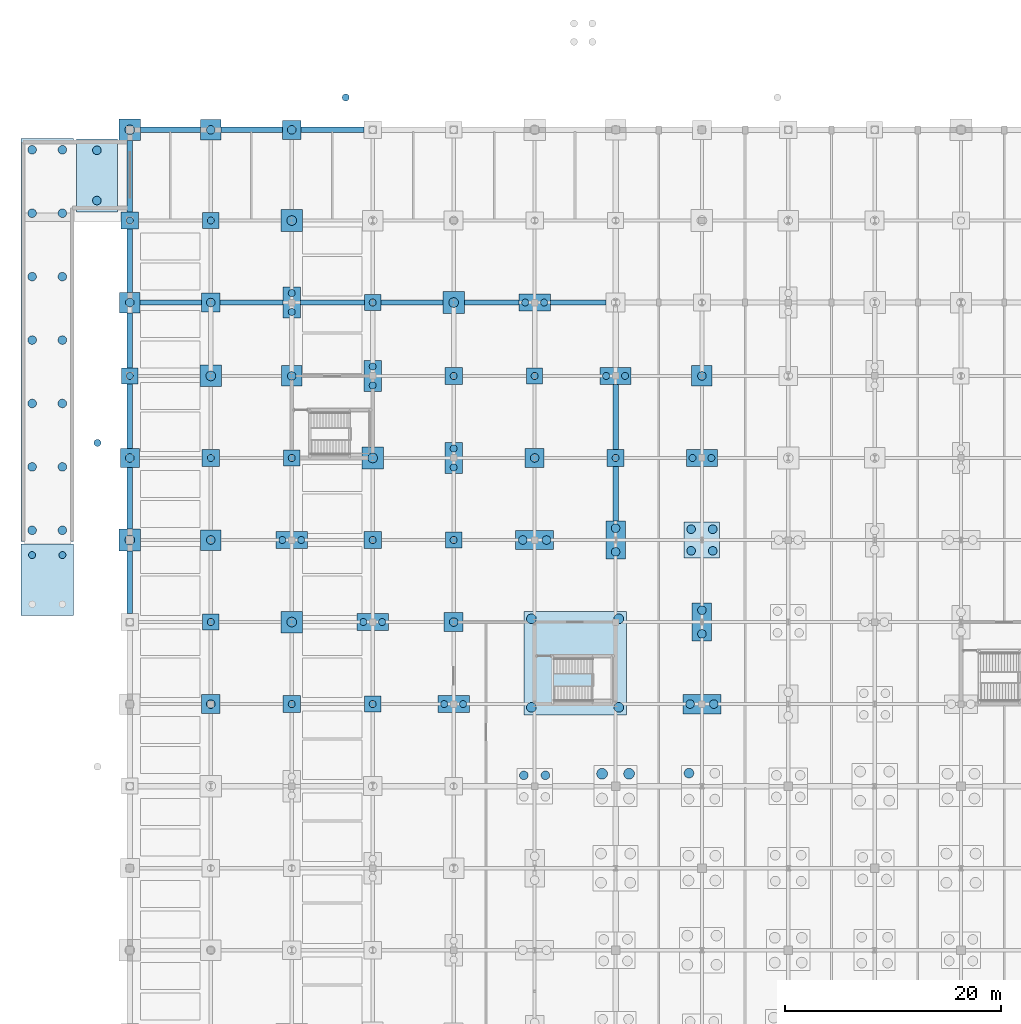
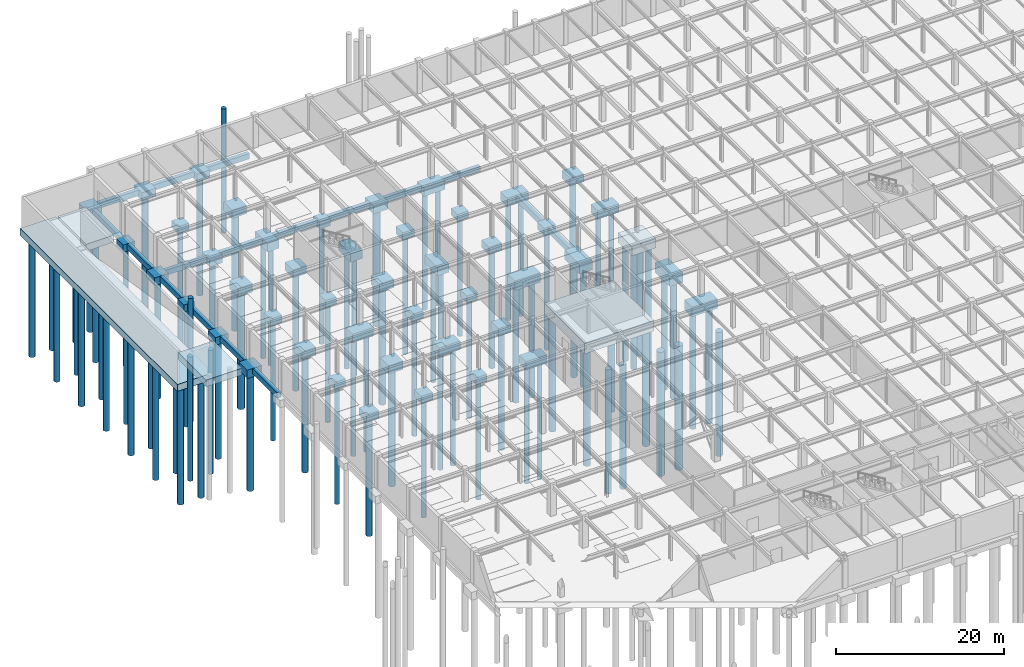
# One storey, part 4 of 53: 91 piles, 67 footings.
"""IFC4 building model written with IfcOpenShell, lengths in metres."""

import ifcopenshell
import ifcopenshell.guid

model = None  # the IFC model being written
_history = None  # IfcOwnerHistory: only IFC2X3 demands one
_inside = {}  # id of a spatial element -> (the spatial element, [elements in it])
_under = {}  # id of a project, library or spatial element -> (it, [spatial elements below it])
_declared = {}  # id of a project -> (the project, [libraries it declares])
_typed = {}  # id of a type object -> (the type object, [elements of that type])
_made_of = {}  # id of a material, layer set ... -> (it, [elements and type objects made of it])


def new_model(schema):
    """Start an empty IFC model of exactly this schema.

    Asked for "IFC4X3", IfcOpenShell would pick the latest addendum, in which some entities
    have other attributes; the version numbers below select the first issue.
    IFC2X3 requires an IfcOwnerHistory on every rooted entity: one is made here for all.
    """
    global model, _history
    if schema == "IFC4X3":
        model = ifcopenshell.file(schema_version=(4, 3, 0, 0))
    else:
        model = ifcopenshell.file(schema=schema)
    _inside.clear()
    _under.clear()
    _declared.clear()
    _typed.clear()
    _made_of.clear()
    _history = None
    if model.schema == "IFC2X3":
        org = make("IfcOrganization", Name="unknown")
        user = make(
            "IfcPersonAndOrganization",
            ThePerson=make("IfcPerson", FamilyName="unknown"),
            TheOrganization=org,
        )
        app = make(
            "IfcApplication",
            ApplicationDeveloper=org,
            Version="unknown",
            ApplicationFullName="unknown",
            ApplicationIdentifier="unknown",
        )
        _history = make(
            "IfcOwnerHistory",
            OwningUser=user,
            OwningApplication=app,
            ChangeAction="ADDED",
            CreationDate=0,
        )
    return model


def make(cls, **values):
    """One entity of the class cls with the attributes given. An attribute that is None is left unset."""
    return model.create_entity(
        cls, **{name: value for name, value in values.items() if value is not None}
    )


def rooted(cls, **values):
    """An entity with a GlobalId (a new one), such as an element, a storey or a relation."""
    return make(cls, GlobalId=ifcopenshell.guid.new(), OwnerHistory=_history, **values)


def si_unit(unit_type, name, prefix=None):
    """IfcSIUnit, for example si_unit("LENGTHUNIT", "METRE", prefix="MILLI")."""
    return make("IfcSIUnit", UnitType=unit_type, Prefix=prefix, Name=name)


def assignment(units):
    """IfcUnitAssignment: the units of a project."""
    return None if units is None else make("IfcUnitAssignment", Units=units)


def point(xyz):
    """IfcCartesianPoint."""
    return None if xyz is None else make("IfcCartesianPoint", Coordinates=xyz)


def direction(xyz):
    """IfcDirection."""
    return None if xyz is None else make("IfcDirection", DirectionRatios=xyz)


def frame(location, z_axis=None, x_axis=None):
    """IfcAxis2Placement3D, a coordinate frame: its origin and axes. An axis left out is left unset."""
    return make(
        "IfcAxis2Placement3D",
        Location=point(location),
        Axis=direction(z_axis),
        RefDirection=direction(x_axis),
    )


def frame_2d(location, x_axis=None):
    """IfcAxis2Placement2D, a coordinate frame in the plane: its origin and x axis."""
    return make(
        "IfcAxis2Placement2D", Location=point(location), RefDirection=direction(x_axis)
    )


def origin():
    """The frame at (0, 0, 0) with its axes left unset."""
    return frame((0.0, 0.0, 0.0))


def origin_2d():
    """The frame at (0, 0) in the plane with its x axis left unset."""
    return frame_2d((0.0, 0.0))


def place(relative_to, where):
    """IfcLocalPlacement: puts the frame where relative to a parent placement (None: the world)."""
    return make(
        "IfcLocalPlacement", PlacementRelTo=relative_to, RelativePlacement=where
    )


def context(
    kind, dimensions, precision=None, world=None, true_north=None, identifier=None
):
    """IfcGeometricRepresentationContext, for example the 3D "Model" context."""
    return make(
        "IfcGeometricRepresentationContext",
        ContextIdentifier=identifier,
        ContextType=kind,
        CoordinateSpaceDimension=dimensions,
        Precision=precision,
        WorldCoordinateSystem=world,
        TrueNorth=true_north,
    )


def subcontext(parent, identifier, kind, view, scale=None):
    """IfcGeometricRepresentationSubContext, for example "Body" below "Model"."""
    return make(
        "IfcGeometricRepresentationSubContext",
        ContextIdentifier=identifier,
        ContextType=kind,
        ParentContext=parent,
        TargetScale=scale,
        TargetView=view,
    )


def project(units=None, contexts=None):
    """IfcProject with its units and contexts."""
    return rooted(
        "IfcProject",
        Name="project",
        RepresentationContexts=contexts,
        UnitsInContext=assignment(units),
    )


def spatial(cls, under=None, at=None, **own):
    """A site, building, storey or space (cls), placed at a placement, below another one or the project."""
    s = rooted(cls, ObjectPlacement=at, **own)
    if under is not None:
        _under.setdefault(under.id(), (under, []))[1].append(s)
    return s


def profile(cls, at=None, kind="AREA", **sizes):
    """A parametric profile (cls). Its sizes go by their IFC names, for example OverallWidth=200.0."""
    return make(cls, ProfileType=kind, Position=at, **sizes)


def rectangle(**sizes):
    """IfcRectangleProfileDef."""
    return profile("IfcRectangleProfileDef", **sizes)


def circle(**sizes):
    """IfcCircleProfileDef."""
    return profile("IfcCircleProfileDef", **sizes)


def extrude(swept, where, along, depth):
    """IfcExtrudedAreaSolid: the profile swept, set in the frame where, extruded along a direction by depth."""
    return make(
        "IfcExtrudedAreaSolid",
        SweptArea=swept,
        Position=where,
        ExtrudedDirection=direction(along),
        Depth=depth,
    )


def shape(context_of_items, identifier, shape_type, items):
    """IfcShapeRepresentation: the items that make up one representation, for example the "Body"."""
    return make(
        "IfcShapeRepresentation",
        ContextOfItems=context_of_items,
        RepresentationIdentifier=identifier,
        RepresentationType=shape_type,
        Items=items,
    )


def material(Name=None, Category=None):
    """IfcMaterial."""
    return make("IfcMaterial", Name=Name, Category=Category)


def material_profile(
    of_material, cross_section, Name=None, Category=None, Priority=None
):
    """IfcMaterialProfile: a cross section and its material."""
    return make(
        "IfcMaterialProfile",
        Name=Name,
        Material=of_material,
        Profile=cross_section,
        Priority=Priority,
        Category=Category,
    )


def profile_set(profiles, Name=None, composite=None):
    """IfcMaterialProfileSet."""
    return make(
        "IfcMaterialProfileSet",
        Name=Name,
        MaterialProfiles=profiles,
        CompositeProfile=composite,
    )


def made_of(thing, what):
    """Note that an element or type object is made of a material, layer set ...; save() writes the relation."""
    if what is not None:
        _made_of.setdefault(what.id(), (what, []))[1].append(thing)
    return thing


def type_object(cls, material=None, **own):
    """A type object (cls), such as IfcWallType, which elements share."""
    return made_of(rooted(cls, **own), material)


def element(
    cls,
    number,
    at=None,
    inside=None,
    cuts=None,
    type_object=None,
    material=None,
    context=None,
    identifier="Body",
    shape_type=None,
    held_by="IfcProductDefinitionShape",
    body=None,
    shapes=None,
    **own,
):
    """One element of the class cls, such as IfcWall. Its Tag is "e" and its number.

    at: its placement. inside: the storey or other place that contains it. cuts: it is an
    opening in that element (IfcRelVoidsElement). A single representation is given by context,
    identifier, shape_type and body (its items); several are given by shapes. held_by: the class
    of the entity that holds the representations. save() writes the other relations.
    """
    e = rooted(cls, Tag="e%d" % number, ObjectPlacement=at, **own)
    if body is not None:
        shapes = [shape(context, identifier, shape_type, body)]
    if shapes is not None:
        e.Representation = make(held_by, Representations=shapes)
    if inside is not None:
        _inside.setdefault(inside.id(), (inside, []))[1].append(e)
    if cuts is not None:
        rooted(
            "IfcRelVoidsElement", RelatingBuildingElement=cuts, RelatedOpeningElement=e
        )
    if type_object is not None:
        _typed.setdefault(type_object.id(), (type_object, []))[1].append(e)
    return made_of(e, material)


def aggregate(whole, parts):
    """IfcRelAggregates: a whole, such as a stair, and the parts it consists of."""
    return rooted("IfcRelAggregates", RelatingObject=whole, RelatedObjects=parts)


def save(model, path):
    """Write the relations noted so far, then the file.

    IfcRelAggregates (storeys below a building ...), IfcRelContainedInSpatialStructure (elements
    in a storey), IfcRelDefinesByType, IfcRelAssociatesMaterial and IfcRelDeclares: one each for
    every whole, place, type object, material and project.
    """
    for whole, parts in _under.values():
        aggregate(whole, parts)
    for where, things in _inside.values():
        rooted(
            "IfcRelContainedInSpatialStructure",
            RelatedElements=things,
            RelatingStructure=where,
        )
    for kind, things in _typed.values():
        rooted("IfcRelDefinesByType", RelatedObjects=things, RelatingType=kind)
    for what, things in _made_of.values():
        rooted("IfcRelAssociatesMaterial", RelatedObjects=things, RelatingMaterial=what)
    for by, libraries in _declared.values():
        rooted("IfcRelDeclares", RelatingContext=by, RelatedDefinitions=libraries)
    model.write(path)


model = new_model("IFC4")

# Units and contexts
model_context = context("Model", 3, precision=1e-05, world=origin(), true_north=direction((0.0, 1.0)))
body_context = subcontext(model_context, "Body", "Model", "MODEL_VIEW")
ifc_project = project(units=[si_unit("LENGTHUNIT", "METRE"), si_unit("AREAUNIT", "SQUARE_METRE"), si_unit("VOLUMEUNIT", "CUBIC_METRE"), si_unit("PLANEANGLEUNIT", "RADIAN"), si_unit("MASSUNIT", "GRAM", prefix="KILO")], contexts=[model_context])

# Site, building, storey
site_placement = place(None, origin())
site = spatial("IfcSite", under=ifc_project, at=site_placement, CompositionType="ELEMENT")
building_placement = place(site_placement, origin())
building = spatial("IfcBuilding", under=site, at=building_placement, Name="Shalkamar Park Central Library", CompositionType="ELEMENT")
storey_placement = place(building_placement, frame((0.0, 0.0, -4.800048828125)))
storey = spatial("IfcBuildingStorey", under=building, at=storey_placement, Name="B1", CompositionType="ELEMENT", Elevation=-4.800048828125)

# Piles
ifc_material = material(Name="Concrete C35/45", Category="concrete")
ifc_material_profile_1 = material_profile(ifc_material, circle(Radius=0.5, at=origin_2d()), Name="PILE D1000")
ifc_profile_set_1 = profile_set([ifc_material_profile_1], Name="Concrete C35/45")
pile_type_1 = type_object("IfcPileType", Name="Bored Concrete Pile D1000", PredefinedType="BORED", material=ifc_profile_set_1)
for number, where, z_axis, x_axis, name in (
    (1, (163.75, 294.35009765625, -0.800048828125), (0.0, 0.0, -1.0), (1.0, 0.0, 0.0), "Bored Pile FC-07-H-P02"),
    (2, (166.25, 294.35009765625, -0.800048828125), (0.0, 0.0, -1.0), (1.0, 0.0, 0.0), "Bored Pile FC-07-H-P04"),
):
    element("IfcPile", number, at=place(storey_placement, frame(where, z_axis=z_axis, x_axis=x_axis)), inside=storey, type_object=pile_type_1, Name=name, PredefinedType="BORED", context=body_context, shape_type="SweptSolid", body=[
        extrude(circle(Radius=0.5, at=origin_2d()), origin(), (0.0, 0.0, 1.0), 18.0),
    ])
ifc_material_profile_2 = material_profile(ifc_material, circle(Radius=0.324951171875, at=origin_2d()), Name="PILE D650")
ifc_profile_set_2 = profile_set([ifc_material_profile_2], Name="Concrete C35/45")
pile_type_2 = type_object("IfcPileType", Name="Bored Concrete Pile D650", PredefinedType="BORED", material=ifc_profile_set_2)
for number, where, z_axis, x_axis, name in (
    (3, (120.0, 331.199951171875, -0.800048828125), (0.0, 0.0, -1.0), (1.0, 0.0, 0.0), "Bored Pile FC-01-N-P01"),
    (4, (120.0, 345.60009765625, -0.800048828125), (0.0, 0.0, -1.0), (1.0, 0.0, 0.0), "Bored Pile FC-01-Q-P01"),
    (5, (127.5, 308.39990234375, -0.800048828125), (0.0, 0.0, -1.0), (1.0, 0.0, 0.0), "Bored Pile FC-02-K-P01"),
    (6, (127.5, 323.60009765625, -0.800048828125), (0.0, 0.0, -1.0), (1.0, 0.0, 0.0), "Bored Pile FC-02-M-P01"),
    (7, (127.5, 345.60009765625, -0.800048828125), (0.0, 0.0, -1.0), (1.0, 0.0, 0.0), "Bored Pile FC-02-Q-P01"),
    (8, (135.0, 300.800048828125, -0.800048828125), (0.0, 0.0, -1.0), (1.0, 0.0, 0.0), "Bored Pile FC-03-J-P01"),
    (9, (134.125, 316.0, -0.800048828125), (0.0, 0.0, -1.0), (1.0, 0.0, 0.0), "Bored Pile FC-03-L-P01"),
    (10, (135.875, 316.0, -0.800048828125), (0.0, 0.0, -1.0), (1.0, 0.0, 0.0), "Bored Pile FC-03-L-P02"),
    (11, (135.0, 323.60009765625, -0.800048828125), (0.0, 0.0, -1.0), (1.0, 0.0, 0.0), "Bored Pile FC-03-M-P01"),
    (12, (135.0, 337.125, -0.800048828125), (0.0, 0.0, -1.0), (1.0, 0.0, 0.0), "Bored Pile FC-03-P-P01"),
    (13, (135.0, 338.875, -0.800048828125), (0.0, 0.0, -1.0), (1.0, 0.0, 0.0), "Bored Pile FC-03-P-P02"),
    (14, (142.5, 300.800048828125, -0.800048828125), (0.0, 0.0, -1.0), (1.0, 0.0, 0.0), "Bored Pile FC-04-J-P01"),
    (15, (141.625, 308.39990234375, -0.800048828125), (0.0, 0.0, -1.0), (1.0, 0.0, 0.0), "Bored Pile FC-04-K-P01"),
    (16, (143.375, 308.39990234375, -0.800048828125), (0.0, 0.0, -1.0), (1.0, 0.0, 0.0), "Bored Pile FC-04-K-P02"),
    (17, (142.5, 316.0, -0.800048828125), (0.0, 0.0, -1.0), (1.0, 0.0, 0.0), "Bored Pile FC-04-L-P01"),
    (18, (142.5, 330.324951171875, -0.800048828125), (0.0, 0.0, -1.0), (1.0, 0.0, 0.0), "Bored Pile FC-04-N-P01"),
    (19, (142.5, 332.074951171875, -0.800048828125), (0.0, 0.0, -1.0), (1.0, 0.0, 0.0), "Bored Pile FC-04-N-P02"),
    (20, (142.5, 338.0, -0.800048828125), (0.0, 0.0, -1.0), (1.0, 0.0, 0.0), "Bored Pile FC-04-P-P01"),
    (21, (149.125, 300.800048828125, -0.800048828125), (0.0, 0.0, -1.0), (1.0, 0.0, 0.0), "Bored Pile FC-05-J-P01"),
    (22, (150.875, 300.800048828125, -0.800048828125), (0.0, 0.0, -1.0), (1.0, 0.0, 0.0), "Bored Pile FC-05-J-P02"),
    (23, (150.0, 316.0, -0.800048828125), (0.0, 0.0, -1.0), (1.0, 0.0, 0.0), "Bored Pile FC-05-L-P01"),
    (24, (150.0, 322.72509765625, -0.800048828125), (0.0, 0.0, -1.0), (1.0, 0.0, 0.0), "Bored Pile FC-05-M-P01"),
    (25, (150.0, 324.47509765625, -0.800048828125), (0.0, 0.0, -1.0), (1.0, 0.0, 0.0), "Bored Pile FC-05-M-P02"),
    (26, (150.0, 331.199951171875, -0.800048828125), (0.0, 0.0, -1.0), (1.0, 0.0, 0.0), "Bored Pile FC-05-N-P01"),
    (27, (157.5, 331.199951171875, -0.800048828125), (0.0, 0.0, -1.0), (1.0, 0.0, 0.0), "Bored Pile FC-06-N-P01"),
    (28, (156.625, 338.0, -0.800048828125), (0.0, 0.0, -1.0), (1.0, 0.0, 0.0), "Bored Pile FC-06-P-P01"),
    (29, (158.375, 338.0, -0.800048828125), (0.0, 0.0, -1.0), (1.0, 0.0, 0.0), "Bored Pile FC-06-P-P02"),
    (30, (165.0, 323.60009765625, -0.800048828125), (0.0, 0.0, -1.0), (1.0, 0.0, 0.0), "Bored Pile FC-07-M-P01"),
    (31, (164.125, 331.199951171875, -0.800048828125), (0.0, 0.0, -1.0), (1.0, 0.0, 0.0), "Bored Pile FC-07-N-P01"),
    (32, (165.875, 331.199951171875, -0.800048828125), (0.0, 0.0, -1.0), (1.0, 0.0, 0.0), "Bored Pile FC-07-N-P02"),
    (33, (172.125, 323.60009765625, -0.800048828125), (0.0, 0.0, -1.0), (1.0, 0.0, 0.0), "Bored Pile FC-08-M-P01"),
    (34, (173.875, 323.60009765625, -0.800048828125), (0.0, 0.0, -1.0), (1.0, 0.0, 0.0), "Bored Pile FC-08-M-P02"),
    (35, (140.0, 357.0, 4.650146484375), (0.0, 0.0, -1.0), (1.0, 0.0, 0.0), "Entrance Apron Pile 04"),
    (36, (117.0, 325.0, 4.650146484375), (0.0, 0.0, -1.0), (1.0, 0.0, 0.0), "Entrance Apron Pile 14"),
    (37, (110.949951171875, 314.60009765625, 4.60009765625), (0.0, 0.0, -1.0), (1.0, 0.0, 0.0), "Bored Pile FC-VRM-TOP-P02"),
    (38, (113.75, 314.60009765625, 4.60009765625), (0.0, 0.0, -1.0), (1.0, 0.0, 0.0), "Bored Pile FC-VRM-TOP-P04"),
):
    element("IfcPile", number, at=place(storey_placement, frame(where, z_axis=z_axis, x_axis=x_axis)), inside=storey, type_object=pile_type_2, Name=name, PredefinedType="BORED", context=body_context, shape_type="SweptSolid", body=[
        extrude(circle(Radius=0.324951171875, at=origin_2d()), origin(), (0.0, 0.0, 1.0), 18.0),
    ])
ifc_material_profile_3 = material_profile(ifc_material, circle(Radius=0.39990234375, at=origin_2d()), Name="PILE D800")
ifc_profile_set_3 = profile_set([ifc_material_profile_3], Name="Concrete C35/45")
pile_type_3 = type_object("IfcPileType", Name="Bored Concrete Pile D800", PredefinedType="BORED", material=ifc_profile_set_3)
for number, where, z_axis, x_axis, name in (
    (39, (120.0, 323.60009765625, -0.800048828125), (0.0, 0.0, -1.0), (1.0, 0.0, 0.0), "Bored Pile FC-01-M-P01"),
    (40, (120.0, 338.0, -0.800048828125), (0.0, 0.0, -1.0), (1.0, 0.0, 0.0), "Bored Pile FC-01-P-P01"),
    (41, (127.5, 300.800048828125, -0.800048828125), (0.0, 0.0, -1.0), (1.0, 0.0, 0.0), "Bored Pile FC-02-J-P01"),
    (42, (127.5, 316.0, -0.800048828125), (0.0, 0.0, -1.0), (1.0, 0.0, 0.0), "Bored Pile FC-02-L-P01"),
    (43, (127.5, 338.0, -0.800048828125), (0.0, 0.0, -1.0), (1.0, 0.0, 0.0), "Bored Pile FC-02-P-P01"),
    (44, (127.5, 354.0, -0.800048828125), (0.0, 0.0, -1.0), (1.0, 0.0, 0.0), "Bored Pile FC-02-R-P01"),
    (45, (135.0, 331.199951171875, -0.800048828125), (0.0, 0.0, -1.0), (1.0, 0.0, 0.0), "Bored Pile FC-03-N-P01"),
    (46, (135.0, 354.0, -0.800048828125), (0.0, 0.0, -1.0), (1.0, 0.0, 0.0), "Bored Pile FC-03-R-P01"),
    (47, (150.0, 308.39990234375, -0.800048828125), (0.0, 0.0, -1.0), (1.0, 0.0, 0.0), "Bored Pile FC-05-K-P01"),
    (48, (156.5, 294.199951171875, -0.800048828125), (0.0, 0.0, -1.0), (1.0, 0.0, 0.0), "Bored Pile FC-06-H-P02"),
    (49, (158.5, 294.199951171875, -0.800048828125), (0.0, 0.0, -1.0), (1.0, 0.0, 0.0), "Bored Pile FC-06-H-P04"),
    (50, (156.39990234375, 316.0, -0.800048828125), (0.0, 0.0, -1.0), (1.0, 0.0, 0.0), "Bored Pile FC-06-L-P01"),
    (51, (158.60009765625, 316.0, -0.800048828125), (0.0, 0.0, -1.0), (1.0, 0.0, 0.0), "Bored Pile FC-06-L-P02"),
    (52, (157.5, 323.60009765625, -0.800048828125), (0.0, 0.0, -1.0), (1.0, 0.0, 0.0), "Bored Pile FC-06-M-P01"),
    (53, (165.0, 314.89990234375, -0.800048828125), (0.0, 0.0, -1.0), (1.0, 0.0, 0.0), "Bored Pile FC-07-L-P01"),
    (54, (165.0, 317.10009765625, -0.800048828125), (0.0, 0.0, -1.0), (1.0, 0.0, 0.0), "Bored Pile FC-07-L-P02"),
    (55, (171.89990234375, 300.800048828125, -0.800048828125), (0.0, 0.0, -1.0), (1.0, 0.0, 0.0), "Bored Pile FC-08-J-P01"),
    (56, (174.10009765625, 300.800048828125, -0.800048828125), (0.0, 0.0, -1.0), (1.0, 0.0, 0.0), "Bored Pile FC-08-J-P02"),
    (57, (173.0, 307.300048828125, -0.800048828125), (0.0, 0.0, -1.0), (1.0, 0.0, 0.0), "Bored Pile FC-08-K-P01"),
    (58, (173.0, 309.5, -0.800048828125), (0.0, 0.0, -1.0), (1.0, 0.0, 0.0), "Bored Pile FC-08-K-P02"),
    (59, (172.0, 315.0, -0.800048828125), (0.0, 0.0, -1.0), (1.0, 0.0, 0.0), "Bored Pile FC-08-L-P01"),
    (60, (172.0, 317.0, -0.800048828125), (0.0, 0.0, -1.0), (1.0, 0.0, 0.0), "Bored Pile FC-08-L-P02"),
    (61, (174.0, 315.0, -0.800048828125), (0.0, 0.0, -1.0), (1.0, 0.0, 0.0), "Bored Pile FC-08-L-P03"),
    (62, (174.0, 317.0, -0.800048828125), (0.0, 0.0, -1.0), (1.0, 0.0, 0.0), "Bored Pile FC-08-L-P04"),
    (63, (173.0, 331.199951171875, -0.800048828125), (0.0, 0.0, -1.0), (1.0, 0.0, 0.0), "Bored Pile FC-08-N-P01"),
    (64, (110.949951171875, 316.89990234375, -0.199951171875), (0.0, 0.0, -1.0), (1.0, 0.0, 0.0), "Bored Pile FC-VRM-RAMP-P01"),
    (65, (110.949951171875, 322.77490234375, -0.199951171875), (0.0, 0.0, -1.0), (1.0, 0.0, 0.0), "Bored Pile FC-VRM-RAMP-P02"),
    (66, (110.949951171875, 328.64990234375, -0.199951171875), (0.0, 0.0, -1.0), (1.0, 0.0, 0.0), "Bored Pile FC-VRM-RAMP-P03"),
    (67, (110.949951171875, 334.52490234375, -0.199951171875), (0.0, 0.0, -1.0), (1.0, 0.0, 0.0), "Bored Pile FC-VRM-RAMP-P04"),
    (68, (110.949951171875, 340.39990234375, -0.199951171875), (0.0, 0.0, -1.0), (1.0, 0.0, 0.0), "Bored Pile FC-VRM-RAMP-P05"),
    (69, (110.949951171875, 346.27490234375, -0.199951171875), (0.0, 0.0, -1.0), (1.0, 0.0, 0.0), "Bored Pile FC-VRM-RAMP-P06"),
    (70, (110.949951171875, 352.14990234375, -0.199951171875), (0.0, 0.0, -1.0), (1.0, 0.0, 0.0), "Bored Pile FC-VRM-RAMP-P07"),
    (71, (113.75, 316.89990234375, -0.199951171875), (0.0, 0.0, -1.0), (1.0, 0.0, 0.0), "Bored Pile FC-VRM-RAMP-P08"),
    (72, (113.75, 322.77490234375, -0.199951171875), (0.0, 0.0, -1.0), (1.0, 0.0, 0.0), "Bored Pile FC-VRM-RAMP-P09"),
    (73, (113.75, 328.64990234375, -0.199951171875), (0.0, 0.0, -1.0), (1.0, 0.0, 0.0), "Bored Pile FC-VRM-RAMP-P10"),
    (74, (113.75, 334.52490234375, -0.199951171875), (0.0, 0.0, -1.0), (1.0, 0.0, 0.0), "Bored Pile FC-VRM-RAMP-P11"),
    (75, (113.75, 340.39990234375, -0.199951171875), (0.0, 0.0, -1.0), (1.0, 0.0, 0.0), "Bored Pile FC-VRM-RAMP-P12"),
    (76, (113.75, 346.27490234375, -0.199951171875), (0.0, 0.0, -1.0), (1.0, 0.0, 0.0), "Bored Pile FC-VRM-RAMP-P13"),
    (77, (113.75, 352.14990234375, -0.199951171875), (0.0, 0.0, -1.0), (1.0, 0.0, 0.0), "Bored Pile FC-VRM-RAMP-P14"),
    (78, (116.949951171875, 347.449951171875, -0.199951171875), (0.0, 0.0, -1.0), (1.0, 0.0, 0.0), "Bored Pile FC-VRM-TURN-P01"),
    (79, (116.949951171875, 352.10009765625, -0.199951171875), (0.0, 0.0, -1.0), (1.0, 0.0, 0.0), "Bored Pile FC-VRM-TURN-P02"),
):
    element("IfcPile", number, at=place(storey_placement, frame(where, z_axis=z_axis, x_axis=x_axis)), inside=storey, type_object=pile_type_3, Name=name, PredefinedType="BORED", context=body_context, shape_type="SweptSolid", body=[
        extrude(circle(Radius=0.39990234375, at=origin_2d()), origin(), (0.0, 0.0, 1.0), 18.0),
    ])
ifc_material_profile_4 = material_profile(ifc_material, circle(Radius=0.449951171875, at=origin_2d()), Name="PILE D900")
ifc_profile_set_4 = profile_set([ifc_material_profile_4], Name="Concrete C35/45")
pile_type_4 = type_object("IfcPileType", Name="Bored Concrete Pile D900", PredefinedType="BORED", material=ifc_profile_set_4)
for number, where, z_axis, x_axis, name in (
    (80, (157.199951171875, 300.5, -0.800048828125), (0.0, 0.0, -1.0), (1.0, 0.0, 0.0), "Bored Pile FC-CORE-P2-P01"),
    (81, (157.199951171875, 308.699951171875, -0.800048828125), (0.0, 0.0, -1.0), (1.0, 0.0, 0.0), "Bored Pile FC-CORE-P2-P02"),
    (82, (165.300048828125, 300.5, -0.800048828125), (0.0, 0.0, -1.0), (1.0, 0.0, 0.0), "Bored Pile FC-CORE-P2-P03"),
    (83, (165.300048828125, 308.699951171875, -0.800048828125), (0.0, 0.0, -1.0), (1.0, 0.0, 0.0), "Bored Pile FC-CORE-P2-P04"),
    (84, (120.0, 316.0, -0.800048828125), (0.0, 0.0, -1.0), (1.0, 0.0, 0.0), "Bored Pile FC-01-L-P01"),
    (85, (120.0, 354.0, -0.800048828125), (0.0, 0.0, -1.0), (1.0, 0.0, 0.0), "Bored Pile FC-01-R-P01"),
    (86, (127.5, 331.199951171875, -0.800048828125), (0.0, 0.0, -1.0), (1.0, 0.0, 0.0), "Bored Pile FC-02-N-P01"),
    (87, (135.0, 308.39990234375, -0.800048828125), (0.0, 0.0, -1.0), (1.0, 0.0, 0.0), "Bored Pile FC-03-K-P01"),
    (88, (135.0, 345.60009765625, -0.800048828125), (0.0, 0.0, -1.0), (1.0, 0.0, 0.0), "Bored Pile FC-03-Q-P01"),
    (89, (142.5, 323.60009765625, -0.800048828125), (0.0, 0.0, -1.0), (1.0, 0.0, 0.0), "Bored Pile FC-04-M-P01"),
    (90, (150.0, 338.0, -0.800048828125), (0.0, 0.0, -1.0), (1.0, 0.0, 0.0), "Bored Pile FC-05-P-P01"),
    (91, (171.800048828125, 294.39990234375, -0.800048828125), (0.0, 0.0, -1.0), (1.0, 0.0, 0.0), "Bored Pile FC-08-H-P02"),
):
    element("IfcPile", number, at=place(storey_placement, frame(where, z_axis=z_axis, x_axis=x_axis)), inside=storey, type_object=pile_type_4, Name=name, PredefinedType="BORED", context=body_context, shape_type="SweptSolid", body=[
        extrude(circle(Radius=0.449951171875, at=origin_2d()), origin(), (0.0, 0.0, 1.0), 18.0),
    ])

# Footings
footing_type_1 = type_object("IfcFootingType", Name="Ground Tie Beam 500x750", PredefinedType="FOOTING_BEAM", material=ifc_material)
footing_1_placement = place(storey_placement, frame((123.78759765625, 338.0, -1.349853515625), z_axis=(0.0, 0.0, 1.0), x_axis=(1.0, 0.0, 0.0)))
element("IfcFooting", 92, at=footing_1_placement, inside=storey, type_object=footing_type_1, Name="Ground Tie Beam TB-X-01-P", PredefinedType="FOOTING_BEAM", context=body_context, shape_type="SweptSolid", body=[
    extrude(rectangle(XDim=5.675048828125, YDim=0.5, at=origin_2d()), origin(), (0.0, 0.0, 1.0), 0.75),
])
footing_2_placement = place(storey_placement, frame((131.28759765625, 338.0, -1.349853515625), z_axis=(0.0, 0.0, 1.0), x_axis=(1.0, 0.0, 0.0)))
element("IfcFooting", 93, at=footing_2_placement, inside=storey, type_object=footing_type_1, Name="Ground Tie Beam TB-X-02-P", PredefinedType="FOOTING_BEAM", context=body_context, shape_type="SweptSolid", body=[
    extrude(rectangle(XDim=5.824951171875, YDim=0.5, at=origin_2d()), origin(), (0.0, 0.0, 1.0), 0.75),
])
footing_3_placement = place(storey_placement, frame((138.77490234375, 338.0, -1.349853515625), z_axis=(0.0, 0.0, 1.0), x_axis=(1.0, 0.0, 0.0)))
element("IfcFooting", 94, at=footing_3_placement, inside=storey, type_object=footing_type_1, Name="Ground Tie Beam TB-X-03-P", PredefinedType="FOOTING_BEAM", context=body_context, shape_type="SweptSolid", body=[
    extrude(rectangle(XDim=5.949951171875, YDim=0.5, at=origin_2d()), origin(), (0.0, 0.0, 1.0), 0.75),
])
footing_4_placement = place(storey_placement, frame((146.125, 338.0, -1.349853515625), z_axis=(0.0, 0.0, 1.0), x_axis=(1.0, 0.0, 0.0)))
element("IfcFooting", 95, at=footing_4_placement, inside=storey, type_object=footing_type_1, Name="Ground Tie Beam TB-X-04-P", PredefinedType="FOOTING_BEAM", context=body_context, shape_type="SweptSolid", body=[
    extrude(rectangle(XDim=5.75, YDim=0.5, at=origin_2d()), origin(), (0.0, 0.0, 1.0), 0.75),
])
footing_5_placement = place(storey_placement, frame((153.52490234375, 338.0, -1.349853515625), z_axis=(0.0, 0.0, 1.0), x_axis=(1.0, 0.0, 0.0)))
element("IfcFooting", 96, at=footing_5_placement, inside=storey, type_object=footing_type_1, Name="Ground Tie Beam TB-X-05-P", PredefinedType="FOOTING_BEAM", context=body_context, shape_type="SweptSolid", body=[
    extrude(rectangle(XDim=5.050048828125, YDim=0.5, at=origin_2d()), origin(), (0.0, 0.0, 1.0), 0.75),
])
footing_6_placement = place(storey_placement, frame((161.53759765625, 338.0, -1.349853515625), z_axis=(0.0, 0.0, 1.0), x_axis=(1.0, 0.0, 0.0)))
element("IfcFooting", 97, at=footing_6_placement, inside=storey, type_object=footing_type_1, Name="Ground Tie Beam TB-X-06-P", PredefinedType="FOOTING_BEAM", context=body_context, shape_type="SweptSolid", body=[
    extrude(rectangle(XDim=5.175048828125, YDim=0.5, at=origin_2d()), origin(), (0.0, 0.0, 1.0), 0.75),
])
footing_type_2 = type_object("IfcFootingType", Name="Ground Tie Beam 500x800", PredefinedType="FOOTING_BEAM", material=ifc_material)
footing_7_placement = place(storey_placement, frame((123.77490234375, 354.0, -1.39990234375), z_axis=(0.0, 0.0, 1.0), x_axis=(1.0, 0.0, 0.0)))
element("IfcFooting", 98, at=footing_7_placement, inside=storey, type_object=footing_type_2, Name="Ground Tie Beam TB-X-01-R", PredefinedType="FOOTING_BEAM", context=body_context, shape_type="SweptSolid", body=[
    extrude(rectangle(XDim=5.550048828125, YDim=0.5, at=origin_2d()), origin(), (0.0, 0.0, 1.0), 0.800048828125),
])
footing_8_placement = place(storey_placement, frame((131.28759765625, 354.0, -1.39990234375), z_axis=(0.0, 0.0, 1.0), x_axis=(1.0, 0.0, 0.0)))
element("IfcFooting", 99, at=footing_8_placement, inside=storey, type_object=footing_type_2, Name="Ground Tie Beam TB-X-02-R", PredefinedType="FOOTING_BEAM", context=body_context, shape_type="SweptSolid", body=[
    extrude(rectangle(XDim=5.675048828125, YDim=0.5, at=origin_2d()), origin(), (0.0, 0.0, 1.0), 0.800048828125),
])
footing_9_placement = place(storey_placement, frame((138.78759765625, 354.0, -1.39990234375), z_axis=(0.0, 0.0, 1.0), x_axis=(1.0, 0.0, 0.0)))
element("IfcFooting", 100, at=footing_9_placement, inside=storey, type_object=footing_type_2, Name="Ground Tie Beam TB-X-03-R", PredefinedType="FOOTING_BEAM", context=body_context, shape_type="SweptSolid", body=[
    extrude(rectangle(XDim=5.824951171875, YDim=0.5, at=origin_2d()), origin(), (0.0, 0.0, 1.0), 0.800048828125),
])
footing_10_placement = place(storey_placement, frame((120.0, 312.10009765625, -1.39990234375), z_axis=(0.0, 0.0, 1.0), x_axis=(0.0, 1.0, 0.0)))
element("IfcFooting", 101, at=footing_10_placement, inside=storey, type_object=footing_type_2, Name="Ground Tie Beam TB-Y-01-K", PredefinedType="FOOTING_BEAM", context=body_context, shape_type="SweptSolid", body=[
    extrude(rectangle(XDim=5.800048828125, YDim=0.5, at=origin_2d()), origin(), (0.0, 0.0, 1.0), 0.800048828125),
])
footing_11_placement = place(storey_placement, frame((120.0, 319.862548828125, -1.39990234375), z_axis=(0.0, 0.0, 1.0), x_axis=(0.0, 1.0, 0.0)))
element("IfcFooting", 102, at=footing_11_placement, inside=storey, type_object=footing_type_2, Name="Ground Tie Beam TB-Y-01-L", PredefinedType="FOOTING_BEAM", context=body_context, shape_type="SweptSolid", body=[
    extrude(rectangle(XDim=5.72509765625, YDim=0.5, at=origin_2d()), origin(), (0.0, 0.0, 1.0), 0.800048828125),
])
footing_12_placement = place(storey_placement, frame((120.0, 327.46240234375, -1.39990234375), z_axis=(0.0, 0.0, 1.0), x_axis=(0.0, 1.0, 0.0)))
element("IfcFooting", 103, at=footing_12_placement, inside=storey, type_object=footing_type_2, Name="Ground Tie Beam TB-Y-01-M", PredefinedType="FOOTING_BEAM", context=body_context, shape_type="SweptSolid", body=[
    extrude(rectangle(XDim=5.97509765625, YDim=0.5, at=origin_2d()), origin(), (0.0, 0.0, 1.0), 0.800048828125),
])
footing_13_placement = place(storey_placement, frame((120.0, 334.5, -1.39990234375), z_axis=(0.0, 0.0, 1.0), x_axis=(0.0, 1.0, 0.0)))
element("IfcFooting", 104, at=footing_13_placement, inside=storey, type_object=footing_type_2, Name="Ground Tie Beam TB-Y-01-N", PredefinedType="FOOTING_BEAM", context=body_context, shape_type="SweptSolid", body=[
    extrude(rectangle(XDim=5.10009765625, YDim=0.5, at=origin_2d()), origin(), (0.0, 0.0, 1.0), 0.800048828125),
])
footing_14_placement = place(storey_placement, frame((120.0, 341.875, -1.39990234375), z_axis=(0.0, 0.0, 1.0), x_axis=(0.0, 1.0, 0.0)))
element("IfcFooting", 105, at=footing_14_placement, inside=storey, type_object=footing_type_2, Name="Ground Tie Beam TB-Y-01-P", PredefinedType="FOOTING_BEAM", context=body_context, shape_type="SweptSolid", body=[
    extrude(rectangle(XDim=5.85009765625, YDim=0.5, at=origin_2d()), origin(), (0.0, 0.0, 1.0), 0.800048828125),
])
footing_15_placement = place(storey_placement, frame((120.0, 349.699951171875, -1.39990234375), z_axis=(0.0, 0.0, 1.0), x_axis=(0.0, 1.0, 0.0)))
element("IfcFooting", 106, at=footing_15_placement, inside=storey, type_object=footing_type_2, Name="Ground Tie Beam TB-Y-01-Q", PredefinedType="FOOTING_BEAM", context=body_context, shape_type="SweptSolid", body=[
    extrude(rectangle(XDim=6.60009765625, YDim=0.5, at=origin_2d()), origin(), (0.0, 0.0, 1.0), 0.800048828125),
])
footing_type_3 = type_object("IfcFootingType", Name="Ground Tie Beam 500x850", PredefinedType="FOOTING_BEAM", material=ifc_material)
footing_16_placement = place(storey_placement, frame((165.0, 320.27490234375, -1.449951171875), z_axis=(0.0, 0.0, 1.0), x_axis=(0.0, 1.0, 0.0)))
element("IfcFooting", 107, at=footing_16_placement, inside=storey, type_object=footing_type_3, Name="Ground Tie Beam TB-Y-07-L", PredefinedType="FOOTING_BEAM", context=body_context, shape_type="SweptSolid", body=[
    extrude(rectangle(XDim=5.050048828125, YDim=0.5, at=origin_2d()), origin(), (0.0, 0.0, 1.0), 0.85009765625),
])
footing_17_placement = place(storey_placement, frame((165.0, 327.39990234375, -1.449951171875), z_axis=(0.0, 0.0, 1.0), x_axis=(0.0, 1.0, 0.0)))
element("IfcFooting", 108, at=footing_17_placement, inside=storey, type_object=footing_type_3, Name="Ground Tie Beam TB-Y-07-M", PredefinedType="FOOTING_BEAM", context=body_context, shape_type="SweptSolid", body=[
    extrude(rectangle(XDim=6.0, YDim=0.5, at=origin_2d()), origin(), (0.0, 0.0, 1.0), 0.85009765625),
])
footing_type_4 = type_object("IfcFootingType", Name="Reinforced Concrete Pile Cap 150x150x100", PredefinedType="PILE_CAP", material=ifc_material)
for number, where, z_axis, x_axis, name in (
    (109, (120.0, 331.199951171875, -1.599853515625), (0.0, 0.0, 1.0), (1.0, 0.0, 0.0), "Pile Cap FC-09"),
    (110, (127.5, 308.39990234375, -1.599853515625), (0.0, 0.0, 1.0), (1.0, 0.0, 0.0), "Pile Cap FC-09"),
    (111, (127.5, 345.60009765625, -1.599853515625), (0.0, 0.0, 1.0), (1.0, 0.0, 0.0), "Pile Cap FC-09"),
    (112, (135.0, 323.60009765625, -1.599853515625), (0.0, 0.0, 1.0), (1.0, 0.0, 0.0), "Pile Cap FC-09"),
    (113, (142.5, 300.800048828125, -1.599853515625), (0.0, 0.0, 1.0), (1.0, 0.0, 0.0), "Pile Cap FC-09"),
    (114, (142.5, 338.0, -1.599853515625), (0.0, 0.0, 1.0), (1.0, 0.0, 0.0), "Pile Cap FC-09"),
    (115, (150.0, 316.0, -1.599853515625), (0.0, 0.0, 1.0), (1.0, 0.0, 0.0), "Pile Cap FC-09"),
    (116, (157.5, 331.199951171875, -1.599853515625), (0.0, 0.0, 1.0), (1.0, 0.0, 0.0), "Pile Cap FC-09"),
):
    element("IfcFooting", number, at=place(storey_placement, frame(where, z_axis=z_axis, x_axis=x_axis)), inside=storey, type_object=footing_type_4, Name=name, PredefinedType="PILE_CAP", context=body_context, shape_type="SweptSolid", body=[
        extrude(rectangle(XDim=1.5, YDim=1.5, at=origin_2d()), origin(), (0.0, 0.0, 1.0), 1.0),
    ])
footing_type_5 = type_object("IfcFootingType", Name="Reinforced Concrete Pile Cap 160x160x105", PredefinedType="PILE_CAP", material=ifc_material)
for number, where, z_axis, x_axis, name in (
    (117, (120.0, 345.60009765625, -1.64990234375), (0.0, 0.0, 1.0), (1.0, 0.0, 0.0), "Pile Cap FC-11"),
    (118, (127.5, 323.60009765625, -1.64990234375), (0.0, 0.0, 1.0), (1.0, 0.0, 0.0), "Pile Cap FC-11"),
    (119, (135.0, 300.800048828125, -1.64990234375), (0.0, 0.0, 1.0), (1.0, 0.0, 0.0), "Pile Cap FC-11"),
    (120, (142.5, 316.0, -1.64990234375), (0.0, 0.0, 1.0), (1.0, 0.0, 0.0), "Pile Cap FC-11"),
    (121, (150.0, 331.199951171875, -1.64990234375), (0.0, 0.0, 1.0), (1.0, 0.0, 0.0), "Pile Cap FC-11"),
    (122, (165.0, 323.60009765625, -1.64990234375), (0.0, 0.0, 1.0), (1.0, 0.0, 0.0), "Pile Cap FC-11"),
):
    element("IfcFooting", number, at=place(storey_placement, frame(where, z_axis=z_axis, x_axis=x_axis)), inside=storey, type_object=footing_type_5, Name=name, PredefinedType="PILE_CAP", context=body_context, shape_type="SweptSolid", body=[
        extrude(rectangle(XDim=1.60009765625, YDim=1.60009765625, at=origin_2d()), origin(), (0.0, 0.0, 1.0), 1.050048828125),
    ])
footing_type_6 = type_object("IfcFootingType", Name="Reinforced Concrete Pile Cap 160x290x125", PredefinedType="PILE_CAP", material=ifc_material)
for number, where, z_axis, x_axis, name in (
    (123, (135.0, 338.0, -1.849853515625), (0.0, 0.0, 1.0), (1.0, 0.0, 0.0), "Pile Cap FC-12"),
    (124, (142.5, 331.199951171875, -1.849853515625), (0.0, 0.0, 1.0), (1.0, 0.0, 0.0), "Pile Cap FC-12"),
    (125, (150.0, 323.60009765625, -1.849853515625), (0.0, 0.0, 1.0), (1.0, 0.0, 0.0), "Pile Cap FC-12"),
):
    element("IfcFooting", number, at=place(storey_placement, frame(where, z_axis=z_axis, x_axis=x_axis)), inside=storey, type_object=footing_type_6, Name=name, PredefinedType="PILE_CAP", context=body_context, shape_type="SweptSolid", body=[
        extrude(rectangle(XDim=1.60009765625, YDim=2.89990234375, at=origin_2d()), origin(), (0.0, 0.0, 1.0), 1.25),
    ])
footing_type_7 = type_object("IfcFootingType", Name="Reinforced Concrete Pile Cap 175x175x110", PredefinedType="PILE_CAP", material=ifc_material)
for number, where, z_axis, x_axis, name in (
    (126, (120.0, 323.60009765625, -1.699951171875), (0.0, 0.0, 1.0), (1.0, 0.0, 0.0), "Pile Cap FC-08"),
    (127, (127.5, 300.800048828125, -1.699951171875), (0.0, 0.0, 1.0), (1.0, 0.0, 0.0), "Pile Cap FC-08"),
    (128, (127.5, 338.0, -1.699951171875), (0.0, 0.0, 1.0), (1.0, 0.0, 0.0), "Pile Cap FC-08"),
    (129, (135.0, 354.0, -1.699951171875), (0.0, 0.0, 1.0), (1.0, 0.0, 0.0), "Pile Cap FC-08"),
    (130, (150.0, 308.39990234375, -1.699951171875), (0.0, 0.0, 1.0), (1.0, 0.0, 0.0), "Pile Cap FC-08"),
    (131, (157.5, 323.60009765625, -1.699951171875), (0.0, 0.0, 1.0), (1.0, 0.0, 0.0), "Pile Cap FC-08"),
):
    element("IfcFooting", number, at=place(storey_placement, frame(where, z_axis=z_axis, x_axis=x_axis)), inside=storey, type_object=footing_type_7, Name=name, PredefinedType="PILE_CAP", context=body_context, shape_type="SweptSolid", body=[
        extrude(rectangle(XDim=1.75, YDim=1.75, at=origin_2d()), origin(), (0.0, 0.0, 1.0), 1.10009765625),
    ])
footing_type_8 = type_object("IfcFootingType", Name="Reinforced Concrete Pile Cap 180x350x140", PredefinedType="PILE_CAP", material=ifc_material)
for number, where, z_axis, x_axis, name in (
    (132, (165.0, 316.0, -2.0), (0.0, 0.0, 1.0), (1.0, 0.0, 0.0), "Pile Cap FC-17"),
    (133, (173.0, 308.39990234375, -2.0), (0.0, 0.0, 1.0), (1.0, 0.0, 0.0), "Pile Cap FC-17"),
):
    element("IfcFooting", number, at=place(storey_placement, frame(where, z_axis=z_axis, x_axis=x_axis)), inside=storey, type_object=footing_type_8, Name=name, PredefinedType="PILE_CAP", context=body_context, shape_type="SweptSolid", body=[
        extrude(rectangle(XDim=1.800048828125, YDim=3.5, at=origin_2d()), origin(), (0.0, 0.0, 1.0), 1.39990234375),
    ])
footing_type_9 = type_object("IfcFootingType", Name="Reinforced Concrete Pile Cap 190x190x115", PredefinedType="PILE_CAP", material=ifc_material)
for number, where, z_axis, x_axis, name in (
    (134, (120.0, 338.0, -1.75), (0.0, 0.0, 1.0), (1.0, 0.0, 0.0), "Pile Cap FC-10"),
    (135, (127.5, 316.0, -1.75), (0.0, 0.0, 1.0), (1.0, 0.0, 0.0), "Pile Cap FC-10"),
    (136, (127.5, 354.0, -1.75), (0.0, 0.0, 1.0), (1.0, 0.0, 0.0), "Pile Cap FC-10"),
    (137, (135.0, 331.199951171875, -1.75), (0.0, 0.0, 1.0), (1.0, 0.0, 0.0), "Pile Cap FC-10"),
    (138, (173.0, 331.199951171875, -1.75), (0.0, 0.0, 1.0), (1.0, 0.0, 0.0), "Pile Cap FC-10"),
):
    element("IfcFooting", number, at=place(storey_placement, frame(where, z_axis=z_axis, x_axis=x_axis)), inside=storey, type_object=footing_type_9, Name=name, PredefinedType="PILE_CAP", context=body_context, shape_type="SweptSolid", body=[
        extrude(rectangle(XDim=1.89990234375, YDim=1.89990234375, at=origin_2d()), origin(), (0.0, 0.0, 1.0), 1.14990234375),
    ])
footing_type_10 = type_object("IfcFootingType", Name="Reinforced Concrete Pile Cap 200x200x120", PredefinedType="PILE_CAP", material=ifc_material)
for number, where, z_axis, x_axis, name in (
    (139, (120.0, 316.0, -1.7998046875), (0.0, 0.0, 1.0), (1.0, 0.0, 0.0), "Pile Cap FC-07"),
    (140, (120.0, 354.0, -1.7998046875), (0.0, 0.0, 1.0), (1.0, 0.0, 0.0), "Pile Cap FC-07"),
    (141, (127.5, 331.199951171875, -1.7998046875), (0.0, 0.0, 1.0), (1.0, 0.0, 0.0), "Pile Cap FC-07"),
    (142, (135.0, 308.39990234375, -1.7998046875), (0.0, 0.0, 1.0), (1.0, 0.0, 0.0), "Pile Cap FC-07"),
    (143, (135.0, 345.60009765625, -1.7998046875), (0.0, 0.0, 1.0), (1.0, 0.0, 0.0), "Pile Cap FC-07"),
    (144, (142.5, 323.60009765625, -1.7998046875), (0.0, 0.0, 1.0), (1.0, 0.0, 0.0), "Pile Cap FC-07"),
    (145, (150.0, 338.0, -1.7998046875), (0.0, 0.0, 1.0), (1.0, 0.0, 0.0), "Pile Cap FC-07"),
):
    element("IfcFooting", number, at=place(storey_placement, frame(where, z_axis=z_axis, x_axis=x_axis)), inside=storey, type_object=footing_type_10, Name=name, PredefinedType="PILE_CAP", context=body_context, shape_type="SweptSolid", body=[
        extrude(rectangle(XDim=2.0, YDim=2.0, at=origin_2d()), origin(), (0.0, 0.0, 1.0), 1.199951171875),
    ])
footing_type_11 = type_object("IfcFootingType", Name="Reinforced Concrete Pile Cap 290x160x125", PredefinedType="PILE_CAP", material=ifc_material)
for number, where, z_axis, x_axis, name in (
    (146, (135.0, 316.0, -1.849853515625), (0.0, 0.0, 1.0), (1.0, 0.0, 0.0), "Pile Cap FC-13"),
    (147, (142.5, 308.39990234375, -1.849853515625), (0.0, 0.0, 1.0), (1.0, 0.0, 0.0), "Pile Cap FC-13"),
    (148, (150.0, 300.800048828125, -1.849853515625), (0.0, 0.0, 1.0), (1.0, 0.0, 0.0), "Pile Cap FC-13"),
    (149, (157.5, 338.0, -1.849853515625), (0.0, 0.0, 1.0), (1.0, 0.0, 0.0), "Pile Cap FC-13"),
    (150, (165.0, 331.199951171875, -1.849853515625), (0.0, 0.0, 1.0), (1.0, 0.0, 0.0), "Pile Cap FC-13"),
    (151, (173.0, 323.60009765625, -1.849853515625), (0.0, 0.0, 1.0), (1.0, 0.0, 0.0), "Pile Cap FC-13"),
):
    element("IfcFooting", number, at=place(storey_placement, frame(where, z_axis=z_axis, x_axis=x_axis)), inside=storey, type_object=footing_type_11, Name=name, PredefinedType="PILE_CAP", context=body_context, shape_type="SweptSolid", body=[
        extrude(rectangle(XDim=2.89990234375, YDim=1.60009765625, at=origin_2d()), origin(), (0.0, 0.0, 1.0), 1.25),
    ])
footing_type_12 = type_object("IfcFootingType", Name="Reinforced Concrete Pile Cap 330x330x135", PredefinedType="PILE_CAP", material=ifc_material)
footing_18_placement = place(storey_placement, frame((173.0, 316.0, -1.949951171875), z_axis=(0.0, 0.0, 1.0), x_axis=(1.0, 0.0, 0.0)))
element("IfcFooting", 152, at=footing_18_placement, inside=storey, type_object=footing_type_12, Name="Pile Cap FC-18", PredefinedType="PILE_CAP", context=body_context, shape_type="SweptSolid", body=[
    extrude(rectangle(XDim=3.300048828125, YDim=3.300048828125, at=origin_2d()), origin(), (0.0, 0.0, 1.0), 1.35009765625),
])
footing_type_13 = type_object("IfcFootingType", Name="Reinforced Concrete Pile Cap 350x180x140", PredefinedType="PILE_CAP", material=ifc_material)
for number, where, z_axis, x_axis, name in (
    (153, (157.5, 316.0, -2.0), (0.0, 0.0, 1.0), (1.0, 0.0, 0.0), "Pile Cap FC-16"),
    (154, (173.0, 300.800048828125, -2.0), (0.0, 0.0, 1.0), (1.0, 0.0, 0.0), "Pile Cap FC-16"),
):
    element("IfcFooting", number, at=place(storey_placement, frame(where, z_axis=z_axis, x_axis=x_axis)), inside=storey, type_object=footing_type_13, Name=name, PredefinedType="PILE_CAP", context=body_context, shape_type="SweptSolid", body=[
        extrude(rectangle(XDim=3.5, YDim=1.800048828125, at=origin_2d()), origin(), (0.0, 0.0, 1.0), 1.39990234375),
    ])
footing_type_14 = type_object("IfcFootingType", Name="Reinforced Concrete Pile Cap 380x675x100", PredefinedType="PILE_CAP", material=ifc_material)
footing_19_placement = place(storey_placement, frame((116.949951171875, 349.77490234375, -1.0), z_axis=(0.0, 0.0, 1.0), x_axis=(1.0, 0.0, 0.0)))
element("IfcFooting", 155, at=footing_19_placement, inside=storey, type_object=footing_type_14, Name="Pile Cap FC-24", PredefinedType="PILE_CAP", context=body_context, shape_type="SweptSolid", body=[
    extrude(rectangle(XDim=3.800048828125, YDim=6.75, at=origin_2d()), origin(), (0.0, 0.0, 1.0), 1.0),
])
footing_type_15 = type_object("IfcFootingType", Name="Reinforced Concrete Pile Cap 490x3735x100", PredefinedType="PILE_CAP", material=ifc_material)
footing_20_placement = place(storey_placement, frame((112.35009765625, 334.52490234375, -1.0), z_axis=(0.0, 0.0, 1.0), x_axis=(1.0, 0.0, 0.0)))
element("IfcFooting", 156, at=footing_20_placement, inside=storey, type_object=footing_type_15, Name="Pile Cap FC-23", PredefinedType="PILE_CAP", context=body_context, shape_type="SweptSolid", body=[
    extrude(rectangle(XDim=4.89990234375, YDim=37.35009765625, at=origin_2d()), origin(), (0.0, 0.0, 1.0), 1.0),
])
footing_type_16 = type_object("IfcFootingType", Name="Reinforced Concrete Pile Cap 490x665x100", PredefinedType="PILE_CAP", material=ifc_material)
footing_21_placement = place(storey_placement, frame((112.35009765625, 312.324951171875, 3.800048828125), z_axis=(0.0, 0.0, 1.0), x_axis=(1.0, 0.0, 0.0)))
element("IfcFooting", 157, at=footing_21_placement, inside=storey, type_object=footing_type_16, Name="Pile Cap FC-25", PredefinedType="PILE_CAP", context=body_context, shape_type="SweptSolid", body=[
    extrude(rectangle(XDim=4.89990234375, YDim=6.64990234375, at=origin_2d()), origin(), (0.0, 0.0, 1.0), 1.0),
])
footing_type_17 = type_object("IfcFootingType", Name="Reinforced Concrete Pile Cap 950x960x155", PredefinedType="PILE_CAP", material=ifc_material)
footing_22_placement = place(storey_placement, frame((161.25, 304.60009765625, -2.14990234375), z_axis=(0.0, 0.0, 1.0), x_axis=(1.0, 0.0, 0.0)))
element("IfcFooting", 158, at=footing_22_placement, inside=storey, type_object=footing_type_17, Name="Pile Cap FC-04", PredefinedType="PILE_CAP", context=body_context, shape_type="SweptSolid", body=[
    extrude(rectangle(XDim=9.5, YDim=9.60009765625, at=origin_2d()), origin(), (0.0, 0.0, 1.0), 1.550048828125),
])

save(model, "model.ifc")
